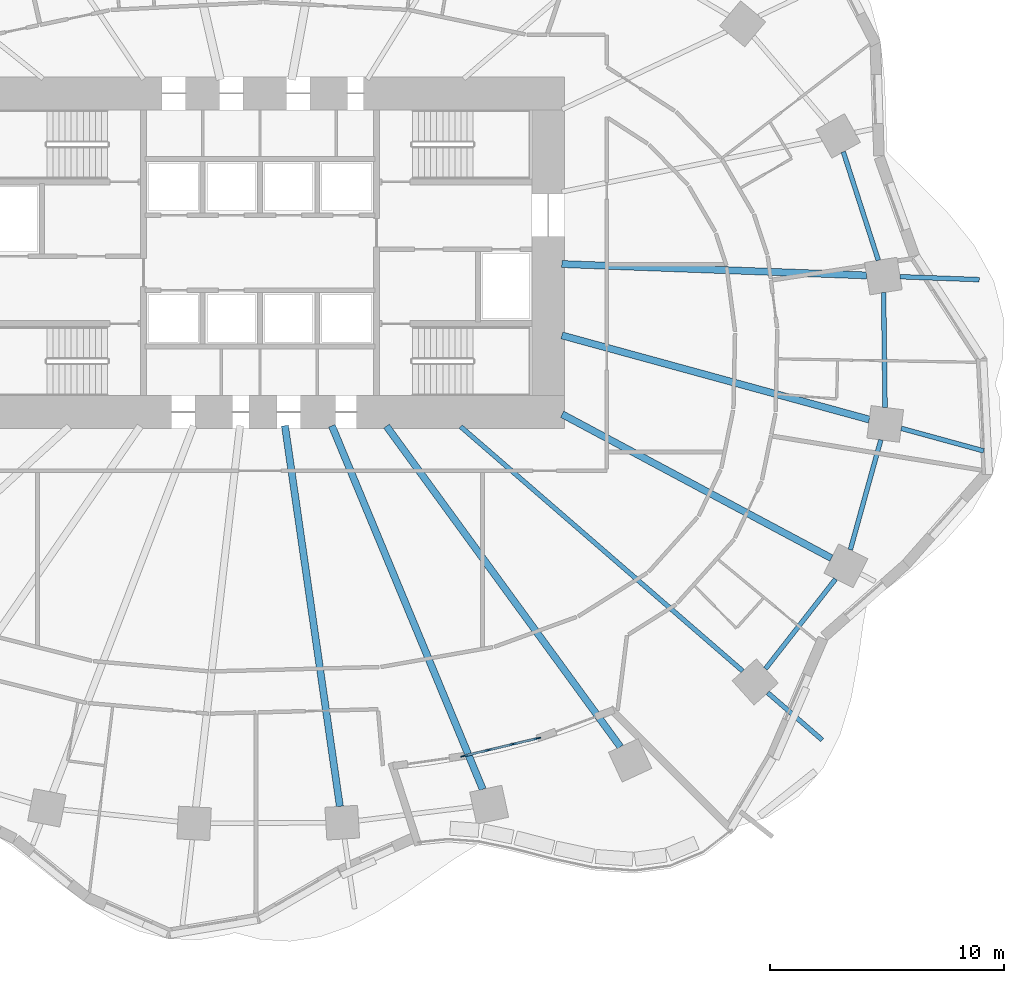
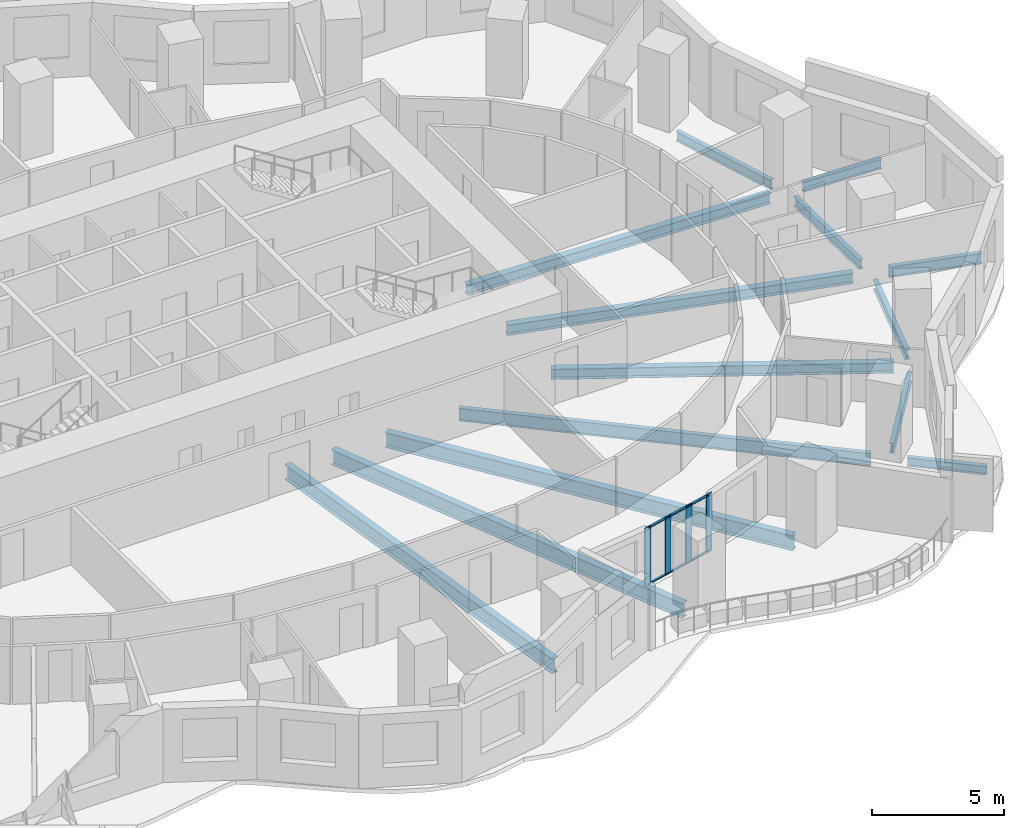
# One storey, part 2 of 14: 14 beams, 10 members, 1 element without a shape of its own.
"""IFC4 building model written with IfcOpenShell, lengths in metres."""

from ifc_helpers import new_model, si_unit, direction, frame, origin, origin_2d, place, context, subcontext, project, spatial, rectangle, i_section, extrude, material, material_profile, profile_set, type_object, element, aggregate, save


model = new_model("IFC4")

# Units and contexts
model_context = context("Model", 3, precision=1e-05, world=origin(), true_north=direction((0.0, 1.0)))
body_context = subcontext(model_context, "Body", "Model", "MODEL_VIEW")
ifc_project = project(units=[si_unit("LENGTHUNIT", "METRE"), si_unit("AREAUNIT", "SQUARE_METRE"), si_unit("VOLUMEUNIT", "CUBIC_METRE"), si_unit("PLANEANGLEUNIT", "RADIAN"), si_unit("MASSUNIT", "GRAM", prefix="KILO")], contexts=[model_context])

# Site, building, storey
site_placement = place(None, origin())
site = spatial("IfcSite", under=ifc_project, at=site_placement, CompositionType="ELEMENT")
building_placement = place(site_placement, origin())
building = spatial("IfcBuilding", under=site, at=building_placement, Name="Rubra Terraces Tower", CompositionType="ELEMENT")
storey_placement = place(building_placement, frame((0.0, 0.0, 44.699951171875)))
storey = spatial("IfcBuildingStorey", under=building, at=storey_placement, Name="L08", CompositionType="ELEMENT", Elevation=44.699951171875)

# Beams
ifc_material_1 = material(Name="Steel Q355B", Category="steel")
ifc_material_profile_1 = material_profile(ifc_material_1, i_section(OverallWidth=0.199951171875, OverallDepth=0.39990234375, WebThickness=0.008056640625, FlangeThickness=0.012939453125, at=origin_2d()), Name="HN 400x200x8x13")
ifc_profile_set_1 = profile_set([ifc_material_profile_1], Name="Steel Q355B")
beam_type_1 = type_object("IfcBeamType", Name="CANTILEVER BEAM HN 400x200x8x13", PredefinedType="BEAM", material=ifc_profile_set_1)
beam_1_placement = place(storey_placement, frame((21.66796875, -14.279052734375, -0.39990234375), z_axis=(0.755678614106, -0.654942617474, 0.0), x_axis=(0.654942617474, 0.755678614106, 0.0)))
element("IfcBeam", 1, at=beam_1_placement, inside=storey, type_object=beam_type_1, Name="beam-L08-cant-22", PredefinedType="BEAM", context=body_context, shape_type="SweptSolid", body=[
    extrude(i_section(OverallWidth=0.199951171875, OverallDepth=0.39990234375, WebThickness=0.008056640625, FlangeThickness=0.012939453125, at=origin_2d()), origin(), (0.0, 0.0, 1.0), 3.077880859375),
])
ifc_material_profile_2 = material_profile(ifc_material_1, i_section(OverallWidth=0.198974609375, OverallDepth=0.446044921875, WebThickness=0.008056640625, FlangeThickness=0.011962890625, at=origin_2d()), Name="HN 446x199x8x12")
ifc_profile_set_2 = profile_set([ifc_material_profile_2], Name="Steel Q355B")
beam_type_2 = type_object("IfcBeamType", Name="CANTILEVER BEAM HN 446x199x8x12", PredefinedType="BEAM", material=ifc_profile_set_2)
beam_2_placement = place(storey_placement, frame((27.319091796875, 3.47607421875, -0.4228515625), z_axis=(0.999304901347, -0.037278869946, 0.0), x_axis=(0.037278869946, 0.999304901347, 0.0)))
element("IfcBeam", 2, at=beam_2_placement, inside=storey, type_object=beam_type_2, Name="beam-L08-cant-01", PredefinedType="BEAM", context=body_context, shape_type="SweptSolid", body=[
    extrude(i_section(OverallWidth=0.198974609375, OverallDepth=0.446044921875, WebThickness=0.008056640625, FlangeThickness=0.011962890625, at=origin_2d()), origin(), (0.0, 0.0, 1.0), 3.37939453125),
])
ifc_material_profile_3 = material_profile(ifc_material_1, i_section(OverallWidth=0.198974609375, OverallDepth=0.49609375, WebThickness=0.009033203125, FlangeThickness=0.013916015625, at=origin_2d()), Name="HN 496x199x9x14")
ifc_profile_set_3 = profile_set([ifc_material_profile_3], Name="Steel Q355B")
beam_type_3 = type_object("IfcBeamType", Name="CANTILEVER BEAM HN 496x199x9x14", PredefinedType="BEAM", material=ifc_profile_set_3)
beam_3_placement = place(storey_placement, frame((27.365966796875, -2.9951171875, -0.447998046875), z_axis=(0.964494708629, -0.264102171568, 0.0), x_axis=(0.264102171568, 0.964494708629, 0.0)))
element("IfcBeam", 3, at=beam_3_placement, inside=storey, type_object=beam_type_3, Name="beam-L08-cant-24", PredefinedType="BEAM", context=body_context, shape_type="SweptSolid", body=[
    extrude(i_section(OverallWidth=0.198974609375, OverallDepth=0.49609375, WebThickness=0.009033203125, FlangeThickness=0.013916015625, at=origin_2d()), origin(), (0.0, 0.0, 1.0), 3.649658203125),
])
ifc_material_profile_4 = material_profile(ifc_material_1, i_section(OverallWidth=0.300048828125, OverallDepth=0.48193359375, WebThickness=0.010986328125, FlangeThickness=0.014892578125, at=origin_2d()), Name="HM 482x300x11x15")
ifc_profile_set_4 = profile_set([ifc_material_profile_4], Name="Steel Q355B")
beam_type_4 = type_object("IfcBeamType", Name="FLOOR BEAM HM 482x300x11x15", PredefinedType="BEAM", material=ifc_profile_set_4)
beam_4_placement = place(storey_placement, frame((25.89111328125, 3.530029296875, -0.44091796875), z_axis=(-0.999300088658, 0.037407657088, 0.0), x_axis=(-0.037407657088, -0.999300088658, 0.0)))
element("IfcBeam", 4, at=beam_4_placement, inside=storey, type_object=beam_type_4, Name="beam-L08-floor-01", PredefinedType="BEAM", context=body_context, shape_type="SweptSolid", body=[
    extrude(i_section(OverallWidth=0.300048828125, OverallDepth=0.48193359375, WebThickness=0.010986328125, FlangeThickness=0.014892578125, at=origin_2d()), origin(), (0.0, 0.0, 1.0), 13.020263671875),
])
beam_5_placement = place(storey_placement, frame((24.385009765625, -8.535888671875, -0.44091796875), z_axis=(-0.881896613876, 0.471442851716, 0.0), x_axis=(-0.471442851716, -0.881896613876, 0.0)))
element("IfcBeam", 5, at=beam_5_placement, inside=storey, type_object=beam_type_4, Name="beam-L08-floor-23", PredefinedType="BEAM", context=body_context, shape_type="SweptSolid", body=[
    extrude(i_section(OverallWidth=0.300048828125, OverallDepth=0.48193359375, WebThickness=0.010986328125, FlangeThickness=0.014892578125, at=origin_2d()), origin(), (0.0, 0.0, 1.0), 13.02978515625),
])
beam_6_placement = place(storey_placement, frame((26.001953125, -2.62109375, -0.44091796875), z_axis=(-0.964494059772, 0.264104541167, 0.0), x_axis=(-0.264104541167, -0.964494059772, 0.0)))
element("IfcBeam", 6, at=beam_6_placement, inside=storey, type_object=beam_type_4, Name="beam-L08-floor-24", PredefinedType="BEAM", context=body_context, shape_type="SweptSolid", body=[
    extrude(i_section(OverallWidth=0.300048828125, OverallDepth=0.48193359375, WebThickness=0.010986328125, FlangeThickness=0.014892578125, at=origin_2d()), origin(), (0.0, 0.0, 1.0), 13.600830078125),
])
ifc_material_profile_5 = material_profile(ifc_material_1, i_section(OverallWidth=0.198974609375, OverallDepth=0.595947265625, WebThickness=0.010009765625, FlangeThickness=0.014892578125, at=origin_2d()), Name="HN 596x199x10x15")
ifc_profile_set_5 = profile_set([ifc_material_profile_5], Name="Steel Q355B")
beam_type_5 = type_object("IfcBeamType", Name="FLOOR BEAM HN 596x199x10x15", PredefinedType="BEAM", material=ifc_profile_set_5)
beam_7_placement = place(storey_placement, frame((20.60205078125, -13.35498046875, -0.498046875), z_axis=(-0.755682003913, 0.654938706263, 0.0), x_axis=(-0.654938706263, -0.755682003913, 0.0)))
element("IfcBeam", 7, at=beam_7_placement, inside=storey, type_object=beam_type_5, Name="beam-L08-floor-22", PredefinedType="BEAM", context=body_context, shape_type="SweptSolid", body=[
    extrude(i_section(OverallWidth=0.198974609375, OverallDepth=0.595947265625, WebThickness=0.010009765625, FlangeThickness=0.014892578125, at=origin_2d()), origin(), (0.0, 0.0, 1.0), 15.931396484375),
])
ifc_material_profile_6 = material_profile(ifc_material_1, i_section(OverallWidth=0.300048828125, OverallDepth=0.699951171875, WebThickness=0.012939453125, FlangeThickness=0.02392578125, at=origin_2d()), Name="HN 700x300x13x24")
ifc_profile_set_6 = profile_set([ifc_material_profile_6], Name="Steel Q355B")
beam_type_6 = type_object("IfcBeamType", Name="FLOOR BEAM HN 700x300x13x24", PredefinedType="BEAM", material=ifc_profile_set_6)
beam_8_placement = place(storey_placement, frame((3.408935546875, -19.12890625, -0.550048828125), z_axis=(-0.142787075711, 0.9897534294, 0.0), x_axis=(-0.9897534294, -0.142787075711, 0.0)))
element("IfcBeam", 8, at=beam_8_placement, inside=storey, type_object=beam_type_6, Name="beam-L08-floor-19", PredefinedType="BEAM", context=body_context, shape_type="SweptSolid", body=[
    extrude(i_section(OverallWidth=0.300048828125, OverallDepth=0.699951171875, WebThickness=0.012939453125, FlangeThickness=0.02392578125, at=origin_2d()), origin(), (0.0, 0.0, 1.0), 16.416015625),
])
beam_9_placement = place(storey_placement, frame((9.507080078125, -18.40087890625, -0.550048828125), z_axis=(-0.383379543301, 0.923590886582, 0.0), x_axis=(-0.923590886582, -0.383379543301, 0.0)))
element("IfcBeam", 9, at=beam_9_placement, inside=storey, type_object=beam_type_6, Name="beam-L08-floor-20", PredefinedType="BEAM", context=body_context, shape_type="SweptSolid", body=[
    extrude(i_section(OverallWidth=0.300048828125, OverallDepth=0.699951171875, WebThickness=0.012939453125, FlangeThickness=0.02392578125, at=origin_2d()), origin(), (0.0, 0.0, 1.0), 16.795166015625),
])
beam_10_placement = place(storey_placement, frame((15.3779296875, -16.587890625, -0.550048828125), z_axis=(-0.58919117553, 0.807993662523, 0.0), x_axis=(-0.807993662523, -0.58919117553, 0.0)))
element("IfcBeam", 10, at=beam_10_placement, inside=storey, type_object=beam_type_6, Name="beam-L08-floor-21", PredefinedType="BEAM", context=body_context, shape_type="SweptSolid", body=[
    extrude(i_section(OverallWidth=0.300048828125, OverallDepth=0.699951171875, WebThickness=0.012939453125, FlangeThickness=0.02392578125, at=origin_2d()), origin(), (0.0, 0.0, 1.0), 16.936767578125),
])
ifc_material_profile_7 = material_profile(ifc_material_1, i_section(OverallWidth=0.198974609375, OverallDepth=0.446044921875, WebThickness=0.008056640625, FlangeThickness=0.011962890625, at=origin_2d()), Name="HN 446x199x8x12")
ifc_profile_set_7 = profile_set([ifc_material_profile_7], Name="Steel Q355B")
beam_type_7 = type_object("IfcBeamType", Name="SPANDREL BEAM HN 446x199x8x12", PredefinedType="SPANDREL", material=ifc_profile_set_7)
beam_11_placement = place(storey_placement, frame((26.387939453125, 4.177001953125, -0.4228515625), z_axis=(-0.30706880261, 0.951687317591, 0.0), x_axis=(-0.951687317591, -0.30706880261, 0.0)))
element("IfcBeam", 11, at=beam_11_placement, inside=storey, type_object=beam_type_7, Name="beam-L08-spandrel-01", PredefinedType="SPANDREL", context=body_context, shape_type="SweptSolid", body=[
    extrude(i_section(OverallWidth=0.198974609375, OverallDepth=0.446044921875, WebThickness=0.008056640625, FlangeThickness=0.011962890625, at=origin_2d()), origin(), (0.0, 0.0, 1.0), 4.86181640625),
])
beam_12_placement = place(storey_placement, frame((21.572998046875, -13.257080078125, -0.4228515625), z_axis=(0.615577734286, 0.788076172112, 0.0), x_axis=(-0.788076172112, 0.615577734286, 0.0)))
element("IfcBeam", 12, at=beam_12_placement, inside=storey, type_object=beam_type_7, Name="beam-L08-spandrel-22", PredefinedType="SPANDREL", context=body_context, shape_type="SweptSolid", body=[
    extrude(i_section(OverallWidth=0.198974609375, OverallDepth=0.446044921875, WebThickness=0.008056640625, FlangeThickness=0.011962890625, at=origin_2d()), origin(), (0.0, 0.0, 1.0), 4.85888671875),
])
beam_13_placement = place(storey_placement, frame((25.194091796875, -8.177978515625, -0.4228515625), z_axis=(0.267364386726, 0.96359549849, 0.0), x_axis=(-0.96359549849, 0.267364386726, 0.0)))
element("IfcBeam", 13, at=beam_13_placement, inside=storey, type_object=beam_type_7, Name="beam-L08-spandrel-23", PredefinedType="SPANDREL", context=body_context, shape_type="SweptSolid", body=[
    extrude(i_section(OverallWidth=0.198974609375, OverallDepth=0.446044921875, WebThickness=0.008056640625, FlangeThickness=0.011962890625, at=origin_2d()), origin(), (0.0, 0.0, 1.0), 4.8662109375),
])
beam_14_placement = place(storey_placement, frame((26.675048828125, -2.10107421875, -0.4228515625), z_axis=(-0.012465372298, 0.999922304228, 0.0), x_axis=(-0.999922304228, -0.012465372298, 0.0)))
element("IfcBeam", 14, at=beam_14_placement, inside=storey, type_object=beam_type_7, Name="beam-L08-spandrel-24", PredefinedType="SPANDREL", context=body_context, shape_type="SweptSolid", body=[
    extrude(i_section(OverallWidth=0.198974609375, OverallDepth=0.446044921875, WebThickness=0.008056640625, FlangeThickness=0.011962890625, at=origin_2d()), origin(), (0.0, 0.0, 1.0), 4.896484375),
])

# Curtain wall, members
ifc_material_2 = material(Name="Aluminium and glass", Category="aluminium")
curtain_wall_type = type_object("IfcCurtainWallType", Name="Curtain wall Terrace glazing", PredefinedType="NOTDEFINED", material=ifc_material_2)
curtain_wall_placement = place(storey_placement, origin())
curtain_wall = element("IfcCurtainWall", 15, at=curtain_wall_placement, inside=storey, type_object=curtain_wall_type, Name="Terrace glazing L08", PredefinedType="NOTDEFINED")
ifc_material_3 = material(Name="Aluminium, anodised dark grey", Category="aluminium")
ifc_material_profile_8 = material_profile(ifc_material_3, rectangle(XDim=0.050048828125, YDim=0.300048828125, at=origin_2d()), Name="AL 50x300")
ifc_profile_set_8 = profile_set([ifc_material_profile_8], Name="Aluminium, anodised dark grey")
member_type_1 = type_object("IfcMemberType", Name="Terrace glazing mullion 50 x 300", PredefinedType="MULLION", material=ifc_profile_set_8)
member_1_placement = place(storey_placement, frame((8.71435546875, -16.973388671875, 0.0), z_axis=(0.0, 0.0, 1.0), x_axis=(-0.232478485943, 0.972601538953, 0.0)))
member_1 = element("IfcMember", 16, at=member_1_placement, type_object=member_type_1, Name="CW3 mullion 1", PredefinedType="MULLION", context=body_context, shape_type="SweptSolid", body=[
    extrude(rectangle(XDim=0.050048828125, YDim=0.300048828125, at=origin_2d()), origin(), (0.0, 0.0, 1.0), 2.699951171875),
])
member_2_placement = place(storey_placement, frame((9.745849609375, -16.726806640625, 0.0), z_axis=(0.0, 0.0, 1.0), x_axis=(-0.232478485943, 0.972601538953, 0.0)))
member_2 = element("IfcMember", 17, at=member_2_placement, type_object=member_type_1, Name="CW3 mullion 2", PredefinedType="MULLION", context=body_context, shape_type="SweptSolid", body=[
    extrude(rectangle(XDim=0.050048828125, YDim=0.300048828125, at=origin_2d()), origin(), (0.0, 0.0, 1.0), 2.699951171875),
])
member_3_placement = place(storey_placement, frame((10.801513671875, -16.474365234375, 0.0), z_axis=(0.0, 0.0, 1.0), x_axis=(-0.232478485943, 0.972601538953, 0.0)))
member_3 = element("IfcMember", 18, at=member_3_placement, type_object=member_type_1, Name="CW3 mullion 3", PredefinedType="MULLION", context=body_context, shape_type="SweptSolid", body=[
    extrude(rectangle(XDim=0.050048828125, YDim=0.300048828125, at=origin_2d()), origin(), (0.0, 0.0, 1.0), 2.699951171875),
])
member_4_placement = place(storey_placement, frame((11.832763671875, -16.22802734375, 0.0), z_axis=(0.0, 0.0, 1.0), x_axis=(-0.232478485943, 0.972601538953, 0.0)))
member_4 = element("IfcMember", 19, at=member_4_placement, type_object=member_type_1, Name="CW3 mullion 4", PredefinedType="MULLION", context=body_context, shape_type="SweptSolid", body=[
    extrude(rectangle(XDim=0.050048828125, YDim=0.300048828125, at=origin_2d()), origin(), (0.0, 0.0, 1.0), 2.699951171875),
])
ifc_material_profile_9 = material_profile(ifc_material_3, rectangle(XDim=0.10009765625, YDim=0.050048828125, at=origin_2d()), Name="AL 100x50")
ifc_profile_set_9 = profile_set([ifc_material_profile_9], Name="Aluminium, anodised dark grey")
member_type_2 = type_object("IfcMemberType", Name="Terrace glazing transom 100 x 50", PredefinedType="USERDEFINED", material=ifc_profile_set_9)
member_5_placement = place(storey_placement, frame((8.73876953125, -16.967529296875, 0.050048828125), z_axis=(0.972606214063, 0.232458926193, 0.0), x_axis=(-0.232458926193, 0.972606214063, 0.0)))
member_5 = element("IfcMember", 20, at=member_5_placement, type_object=member_type_2, Name="CW3 transom 1.1", ObjectType="TRANSOM", PredefinedType="USERDEFINED", context=body_context, shape_type="SweptSolid", body=[
    extrude(rectangle(XDim=0.10009765625, YDim=0.050048828125, at=origin_2d()), origin(), (0.0, 0.0, 1.0), 1.01025390625),
])
member_6_placement = place(storey_placement, frame((8.73876953125, -16.967529296875, 2.650146484375), z_axis=(0.972606214063, 0.232458926193, 0.0), x_axis=(-0.232458926193, 0.972606214063, 0.0)))
member_6 = element("IfcMember", 21, at=member_6_placement, type_object=member_type_2, Name="CW3 transom 1.2", ObjectType="TRANSOM", PredefinedType="USERDEFINED", context=body_context, shape_type="SweptSolid", body=[
    extrude(rectangle(XDim=0.10009765625, YDim=0.050048828125, at=origin_2d()), origin(), (0.0, 0.0, 1.0), 1.01025390625),
])
member_7_placement = place(storey_placement, frame((9.77001953125, -16.720947265625, 0.050048828125), z_axis=(0.972600916101, 0.232481091703, 0.0), x_axis=(-0.232481091703, 0.972600916101, 0.0)))
member_7 = element("IfcMember", 22, at=member_7_placement, type_object=member_type_2, Name="CW3 transom 2.1", ObjectType="TRANSOM", PredefinedType="USERDEFINED", context=body_context, shape_type="SweptSolid", body=[
    extrude(rectangle(XDim=0.10009765625, YDim=0.050048828125, at=origin_2d()), origin(), (0.0, 0.0, 1.0), 1.035400390625),
])
member_8_placement = place(storey_placement, frame((9.77001953125, -16.720947265625, 2.650146484375), z_axis=(0.972600916101, 0.232481091703, 0.0), x_axis=(-0.232481091703, 0.972600916101, 0.0)))
member_8 = element("IfcMember", 23, at=member_8_placement, type_object=member_type_2, Name="CW3 transom 2.2", ObjectType="TRANSOM", PredefinedType="USERDEFINED", context=body_context, shape_type="SweptSolid", body=[
    extrude(rectangle(XDim=0.10009765625, YDim=0.050048828125, at=origin_2d()), origin(), (0.0, 0.0, 1.0), 1.035400390625),
])
member_9_placement = place(storey_placement, frame((10.82568359375, -16.468505859375, 0.050048828125), z_axis=(0.972606214063, 0.232458926193, 0.0), x_axis=(-0.232458926193, 0.972606214063, 0.0)))
member_9 = element("IfcMember", 24, at=member_9_placement, type_object=member_type_2, Name="CW3 transom 3.1", ObjectType="TRANSOM", PredefinedType="USERDEFINED", context=body_context, shape_type="SweptSolid", body=[
    extrude(rectangle(XDim=0.10009765625, YDim=0.050048828125, at=origin_2d()), origin(), (0.0, 0.0, 1.0), 1.01025390625),
])
member_10_placement = place(storey_placement, frame((10.82568359375, -16.468505859375, 2.650146484375), z_axis=(0.972606214063, 0.232458926193, 0.0), x_axis=(-0.232458926193, 0.972606214063, 0.0)))
member_10 = element("IfcMember", 25, at=member_10_placement, type_object=member_type_2, Name="CW3 transom 3.2", ObjectType="TRANSOM", PredefinedType="USERDEFINED", context=body_context, shape_type="SweptSolid", body=[
    extrude(rectangle(XDim=0.10009765625, YDim=0.050048828125, at=origin_2d()), origin(), (0.0, 0.0, 1.0), 1.01025390625),
])
aggregate(curtain_wall, [member_1, member_2, member_3, member_4, member_5, member_6, member_7, member_8, member_9, member_10])

save(model, "model.ifc")
